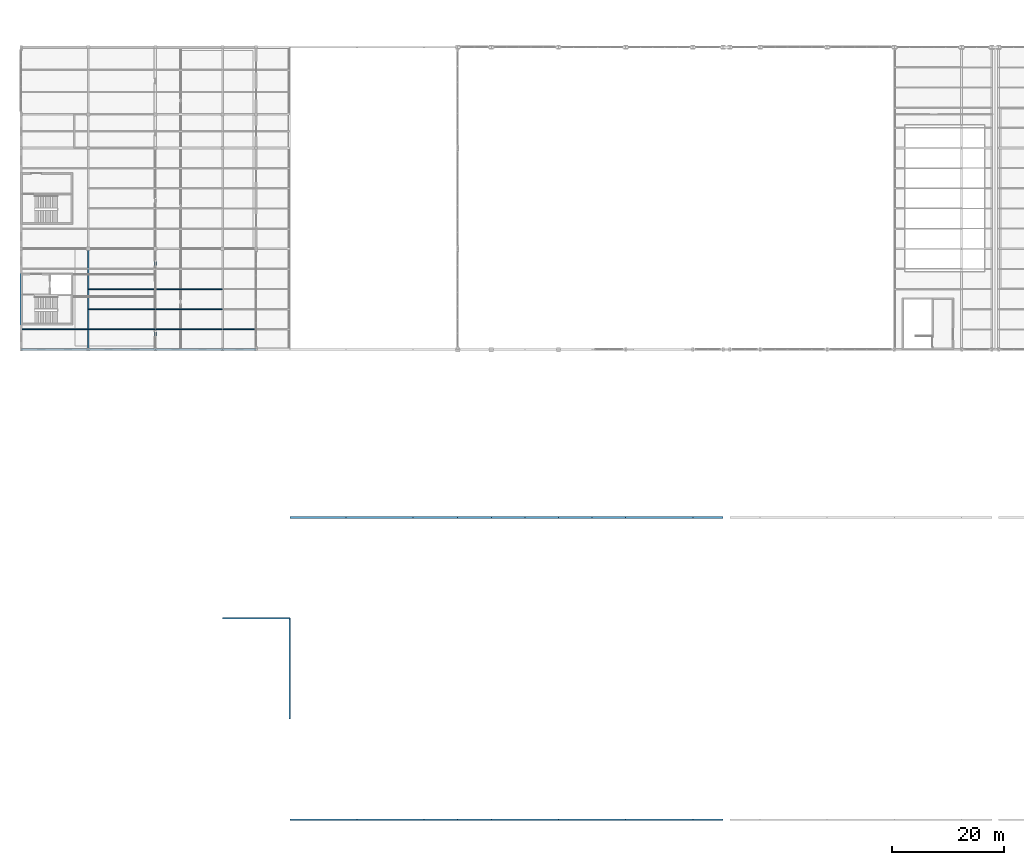
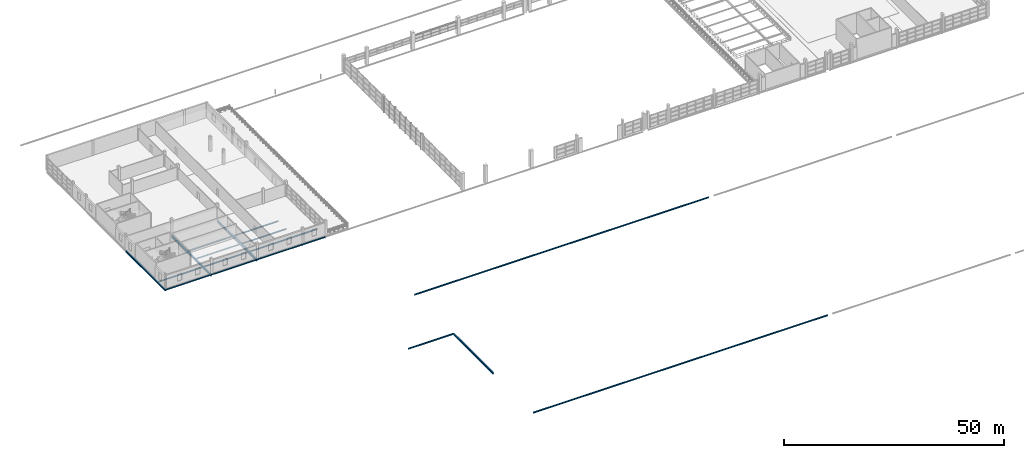
# One storey, part 8 of 86: 35 beams.
"""IFC4 building model written with IfcOpenShell, lengths in metres."""

from ifc_helpers import new_model, si_unit, direction, frame, origin, origin_2d, place, context, subcontext, project, spatial, i_section, extrude, material, material_profile, profile_set, type_object, element, save


model = new_model("IFC4")

# Units and contexts
model_context = context("Model", 3, precision=1e-05, world=origin(), true_north=direction((0.0, 1.0)))
body_context = subcontext(model_context, "Body", "Model", "MODEL_VIEW")
ifc_project = project(units=[si_unit("LENGTHUNIT", "METRE"), si_unit("AREAUNIT", "SQUARE_METRE"), si_unit("VOLUMEUNIT", "CUBIC_METRE"), si_unit("PLANEANGLEUNIT", "RADIAN"), si_unit("MASSUNIT", "GRAM", prefix="KILO")], contexts=[model_context])

# Site, building, storey
site_placement = place(None, origin())
site = spatial("IfcSite", under=ifc_project, at=site_placement, CompositionType="ELEMENT")
building_placement = place(site_placement, origin())
building = spatial("IfcBuilding", under=site, at=building_placement, Name="Zilviju Railside Exhibition Hall", CompositionType="ELEMENT")
storey_placement = place(building_placement, frame((0.0, 0.0, 12.60009765625)))
storey = spatial("IfcBuildingStorey", under=building, at=storey_placement, Name="L04", CompositionType="ELEMENT", Elevation=12.60009765625)

# Beams
ifc_material = material(Name="Steel S355J2", Category="steel")
ifc_material_profile_1 = material_profile(ifc_material, i_section(OverallWidth=0.300048828125, OverallDepth=0.2900390625, WebThickness=0.008544921875, FlangeThickness=0.013916015625, at=origin_2d()), Name="HEA 300")
ifc_profile_set_1 = profile_set([ifc_material_profile_1], Name="Steel S355J2")
beam_type_1 = type_object("IfcBeamType", Name="BM-HEA300", PredefinedType="SPANDREL", material=ifc_profile_set_1)
for number, where, z_axis, x_axis, name in (
    (1, (48.0, 0.0, -0.485107421875), (1.0, 0.0, 0.0), (0.0, 1.0, 0.0), "Primary Girder L04 Y=0.0 (48.0..60.0)"),
    (2, (60.0, 0.0, -0.485107421875), (1.0, 0.0, 0.0), (0.0, 1.0, 0.0), "Primary Girder L04 Y=0.0 (60.0..72.0)"),
):
    element("IfcBeam", number, at=place(storey_placement, frame(where, z_axis=z_axis, x_axis=x_axis)), inside=storey, type_object=beam_type_1, Name=name, PredefinedType="SPANDREL", context=body_context, shape_type="SweptSolid", body=[
        extrude(i_section(OverallWidth=0.300048828125, OverallDepth=0.2900390625, WebThickness=0.008544921875, FlangeThickness=0.013916015625, at=origin_2d()), origin(), (0.0, 0.0, 1.0), 12.0),
    ])
for number, where, z_axis, x_axis, name in (
    (3, (72.0, 0.0, -0.485107421875), (1.0, 0.0, 0.0), (0.0, 1.0, 0.0), "Primary Girder L04 Y=0.0 (72.0..78.0)"),
    (4, (78.0, 0.0, -0.485107421875), (1.0, 0.0, 0.0), (0.0, 1.0, 0.0), "Primary Girder L04 Y=0.0 (78.0..84.0)"),
):
    element("IfcBeam", number, at=place(storey_placement, frame(where, z_axis=z_axis, x_axis=x_axis)), inside=storey, type_object=beam_type_1, Name=name, PredefinedType="SPANDREL", context=body_context, shape_type="SweptSolid", body=[
        extrude(i_section(OverallWidth=0.300048828125, OverallDepth=0.2900390625, WebThickness=0.008544921875, FlangeThickness=0.013916015625, at=origin_2d()), origin(), (0.0, 0.0, 1.0), 6.0),
    ])
for number, where, z_axis, x_axis, name in (
    (5, (84.0, 0.0, -0.485107421875), (1.0, 0.0, 0.0), (0.0, 1.0, 0.0), "Primary Girder L04 Y=0.0 (84.0..96.0)"),
    (6, (96.0, 0.0, -0.485107421875), (1.0, 0.0, 0.0), (0.0, 1.0, 0.0), "Primary Girder L04 Y=0.0 (96.0..108.0)"),
    (7, (108.0, 0.0, -0.485107421875), (1.0, 0.0, 0.0), (0.0, 1.0, 0.0), "Primary Girder L04 Y=0.0 (108.0..120.0)"),
):
    element("IfcBeam", number, at=place(storey_placement, frame(where, z_axis=z_axis, x_axis=x_axis)), inside=storey, type_object=beam_type_1, Name=name, PredefinedType="SPANDREL", context=body_context, shape_type="SweptSolid", body=[
        extrude(i_section(OverallWidth=0.300048828125, OverallDepth=0.2900390625, WebThickness=0.008544921875, FlangeThickness=0.013916015625, at=origin_2d()), origin(), (0.0, 0.0, 1.0), 12.0),
    ])
beam_1_placement = place(storey_placement, frame((120.0, 0.0, -0.485107421875), z_axis=(1.0, 0.0, 0.0), x_axis=(0.0, 1.0, 0.0)))
element("IfcBeam", 8, at=beam_1_placement, inside=storey, type_object=beam_type_1, Name="Primary Girder L04 Y=0.0 (120.0..125.4)", PredefinedType="SPANDREL", context=body_context, shape_type="SweptSolid", body=[
    extrude(i_section(OverallWidth=0.300048828125, OverallDepth=0.2900390625, WebThickness=0.008544921875, FlangeThickness=0.013916015625, at=origin_2d()), origin(), (0.0, 0.0, 1.0), 5.39990234375),
])
beam_2_placement = place(storey_placement, frame((36.0, 36.0, -0.364990234375), z_axis=(1.0, 0.0, 0.0), x_axis=(0.0, 1.0, 0.0)))
element("IfcBeam", 9, at=beam_2_placement, inside=storey, type_object=beam_type_1, Name="Primary Girder L04 Y=36.0 (36.0..48.0)", PredefinedType="SPANDREL", context=body_context, shape_type="SweptSolid", body=[
    extrude(i_section(OverallWidth=0.300048828125, OverallDepth=0.2900390625, WebThickness=0.008544921875, FlangeThickness=0.013916015625, at=origin_2d()), origin(), (0.0, 0.0, 1.0), 12.0),
])
beam_3_placement = place(storey_placement, frame((48.0, 54.0, -0.485107421875), z_axis=(1.0, 0.0, 0.0), x_axis=(0.0, 1.0, 0.0)))
element("IfcBeam", 10, at=beam_3_placement, inside=storey, type_object=beam_type_1, Name="Primary Girder L04 Y=54.0 (48.0..58.0)", PredefinedType="SPANDREL", context=body_context, shape_type="SweptSolid", body=[
    extrude(i_section(OverallWidth=0.300048828125, OverallDepth=0.2900390625, WebThickness=0.008544921875, FlangeThickness=0.013916015625, at=origin_2d()), origin(), (0.0, 0.0, 1.0), 10.0),
])
beam_4_placement = place(storey_placement, frame((58.0, 54.0, -0.485107421875), z_axis=(1.0, 0.0, 0.0), x_axis=(0.0, 1.0, 0.0)))
element("IfcBeam", 11, at=beam_4_placement, inside=storey, type_object=beam_type_1, Name="Primary Girder L04 Y=54.0 (58.0..70.0)", PredefinedType="SPANDREL", context=body_context, shape_type="SweptSolid", body=[
    extrude(i_section(OverallWidth=0.300048828125, OverallDepth=0.2900390625, WebThickness=0.008544921875, FlangeThickness=0.013916015625, at=origin_2d()), origin(), (0.0, 0.0, 1.0), 12.0),
])
beam_5_placement = place(storey_placement, frame((70.0, 54.0, -0.485107421875), z_axis=(1.0, 0.0, 0.0), x_axis=(0.0, 1.0, 0.0)))
element("IfcBeam", 12, at=beam_5_placement, inside=storey, type_object=beam_type_1, Name="Primary Girder L04 Y=54.0 (70.0..78.0)", PredefinedType="SPANDREL", context=body_context, shape_type="SweptSolid", body=[
    extrude(i_section(OverallWidth=0.300048828125, OverallDepth=0.2900390625, WebThickness=0.008544921875, FlangeThickness=0.013916015625, at=origin_2d()), origin(), (0.0, 0.0, 1.0), 8.0),
])
for number, where, z_axis, x_axis, name in (
    (13, (78.0, 54.0, -0.485107421875), (1.0, 0.0, 0.0), (0.0, 1.0, 0.0), "Primary Girder L04 Y=54.0 (78.0..84.0)"),
    (14, (84.0, 54.0, -0.485107421875), (1.0, 0.0, 0.0), (0.0, 1.0, 0.0), "Primary Girder L04 Y=54.0 (84.0..90.0)"),
    (15, (90.0, 54.0, -0.485107421875), (1.0, 0.0, 0.0), (0.0, 1.0, 0.0), "Primary Girder L04 Y=54.0 (90.0..96.0)"),
    (16, (96.0, 54.0, -0.485107421875), (1.0, 0.0, 0.0), (0.0, 1.0, 0.0), "Primary Girder L04 Y=54.0 (96.0..102.0)"),
    (17, (102.0, 54.0, -0.485107421875), (1.0, 0.0, 0.0), (0.0, 1.0, 0.0), "Primary Girder L04 Y=54.0 (102.0..108.0)"),
):
    element("IfcBeam", number, at=place(storey_placement, frame(where, z_axis=z_axis, x_axis=x_axis)), inside=storey, type_object=beam_type_1, Name=name, PredefinedType="SPANDREL", context=body_context, shape_type="SweptSolid", body=[
        extrude(i_section(OverallWidth=0.300048828125, OverallDepth=0.2900390625, WebThickness=0.008544921875, FlangeThickness=0.013916015625, at=origin_2d()), origin(), (0.0, 0.0, 1.0), 6.0),
    ])
beam_6_placement = place(storey_placement, frame((108.0, 54.0, -0.485107421875), z_axis=(1.0, 0.0, 0.0), x_axis=(0.0, 1.0, 0.0)))
element("IfcBeam", 18, at=beam_6_placement, inside=storey, type_object=beam_type_1, Name="Primary Girder L04 Y=54.0 (108.0..120.0)", PredefinedType="SPANDREL", context=body_context, shape_type="SweptSolid", body=[
    extrude(i_section(OverallWidth=0.300048828125, OverallDepth=0.2900390625, WebThickness=0.008544921875, FlangeThickness=0.013916015625, at=origin_2d()), origin(), (0.0, 0.0, 1.0), 12.0),
])
beam_7_placement = place(storey_placement, frame((120.0, 54.0, -0.485107421875), z_axis=(1.0, 0.0, 0.0), x_axis=(0.0, 1.0, 0.0)))
element("IfcBeam", 19, at=beam_7_placement, inside=storey, type_object=beam_type_1, Name="Primary Girder L04 Y=54.0 (120.0..125.4)", PredefinedType="SPANDREL", context=body_context, shape_type="SweptSolid", body=[
    extrude(i_section(OverallWidth=0.300048828125, OverallDepth=0.2900390625, WebThickness=0.008544921875, FlangeThickness=0.013916015625, at=origin_2d()), origin(), (0.0, 0.0, 1.0), 5.39990234375),
])
for number, where, z_axis, x_axis, name in (
    (20, (0.0, 84.0, -0.485107421875), (1.0, 0.0, 0.0), (0.0, 1.0, 0.0), "Primary Girder L04 Y=84.0 (0.0..12.0)"),
    (21, (12.0, 84.0, -0.485107421875), (1.0, 0.0, 0.0), (0.0, 1.0, 0.0), "Primary Girder L04 Y=84.0 (12.0..24.0)"),
    (22, (24.0, 84.0, -0.485107421875), (1.0, 0.0, 0.0), (0.0, 1.0, 0.0), "Primary Girder L04 Y=84.0 (24.0..36.0)"),
):
    element("IfcBeam", number, at=place(storey_placement, frame(where, z_axis=z_axis, x_axis=x_axis)), inside=storey, type_object=beam_type_1, Name=name, PredefinedType="SPANDREL", context=body_context, shape_type="SweptSolid", body=[
        extrude(i_section(OverallWidth=0.300048828125, OverallDepth=0.2900390625, WebThickness=0.008544921875, FlangeThickness=0.013916015625, at=origin_2d()), origin(), (0.0, 0.0, 1.0), 12.0),
    ])
beam_8_placement = place(storey_placement, frame((36.0, 84.0, -0.485107421875), z_axis=(1.0, 0.0, 0.0), x_axis=(0.0, 1.0, 0.0)))
element("IfcBeam", 23, at=beam_8_placement, inside=storey, type_object=beam_type_1, Name="Primary Girder L04 Y=84.0 (36.0..42.0)", PredefinedType="SPANDREL", context=body_context, shape_type="SweptSolid", body=[
    extrude(i_section(OverallWidth=0.300048828125, OverallDepth=0.2900390625, WebThickness=0.008544921875, FlangeThickness=0.013916015625, at=origin_2d()), origin(), (0.0, 0.0, 1.0), 6.0),
])
ifc_material_profile_2 = material_profile(ifc_material, i_section(OverallWidth=0.300048828125, OverallDepth=0.5, WebThickness=0.014404296875, FlangeThickness=0.028076171875, at=origin_2d()), Name="HEB 500")
ifc_profile_set_2 = profile_set([ifc_material_profile_2], Name="Steel S355J2")
beam_type_2 = type_object("IfcBeamType", Name="BM-HEB500", PredefinedType="BEAM", material=ifc_profile_set_2)
for number, where, z_axis, x_axis, name in (
    (24, (0.0, 84.0, -0.590087890625), (0.0, 1.0, 0.0), (-1.0, 0.0, 0.0), "Transverse Girder L04 X=0.0 (84.0..102.0)"),
    (25, (48.0, 18.0, -0.47021484375), (0.0, 1.0, 0.0), (-1.0, 0.0, 0.0), "Transverse Girder L04 X=48.0 (18.0..36.0)"),
):
    element("IfcBeam", number, at=place(storey_placement, frame(where, z_axis=z_axis, x_axis=x_axis)), inside=storey, type_object=beam_type_2, Name=name, PredefinedType="BEAM", context=body_context, shape_type="SweptSolid", body=[
        extrude(i_section(OverallWidth=0.300048828125, OverallDepth=0.5, WebThickness=0.014404296875, FlangeThickness=0.028076171875, at=origin_2d()), origin(), (0.0, 0.0, 1.0), 18.0),
    ])
ifc_material_profile_3 = material_profile(ifc_material, i_section(OverallWidth=0.300048828125, OverallDepth=0.60009765625, WebThickness=0.015380859375, FlangeThickness=0.030029296875, at=origin_2d()), Name="HEB 600")
ifc_profile_set_3 = profile_set([ifc_material_profile_3], Name="Steel S355J2")
beam_type_3 = type_object("IfcBeamType", Name="BM-HEB600", PredefinedType="BEAM", material=ifc_profile_set_3)
for number, where, z_axis, x_axis, name in (
    (26, (12.0, 84.0, -0.64013671875), (0.0, 1.0, 0.0), (-1.0, 0.0, 0.0), "Transverse Girder L04 X=12.0 (84.0..102.0)"),
    (27, (24.0, 84.0, -0.64013671875), (0.0, 1.0, 0.0), (-1.0, 0.0, 0.0), "Transverse Girder L04 X=24.0 (84.0..102.0)"),
):
    element("IfcBeam", number, at=place(storey_placement, frame(where, z_axis=z_axis, x_axis=x_axis)), inside=storey, type_object=beam_type_3, Name=name, PredefinedType="BEAM", context=body_context, shape_type="SweptSolid", body=[
        extrude(i_section(OverallWidth=0.300048828125, OverallDepth=0.60009765625, WebThickness=0.015380859375, FlangeThickness=0.030029296875, at=origin_2d()), origin(), (0.0, 0.0, 1.0), 18.0),
    ])
ifc_material_profile_4 = material_profile(ifc_material, i_section(OverallWidth=0.14990234375, OverallDepth=0.300048828125, WebThickness=0.007080078125, FlangeThickness=0.0107421875, at=origin_2d()), Name="IPE 300")
ifc_profile_set_4 = profile_set([ifc_material_profile_4], Name="Steel S355J2")
beam_type_4 = type_object("IfcBeamType", Name="BM-IPE300", PredefinedType="JOIST", material=ifc_profile_set_4)
beam_9_placement = place(storey_placement, frame((36.080078125, 87.60009765625, -0.489990234375), z_axis=(1.0, 0.0, 0.0), x_axis=(0.0, 1.0, 0.0)))
element("IfcBeam", 28, at=beam_9_placement, inside=storey, type_object=beam_type_4, Name="Composite Floor Joist L04 Y=87.60 (36.0..42.0)", PredefinedType="JOIST", context=body_context, shape_type="SweptSolid", body=[
    extrude(i_section(OverallWidth=0.14990234375, OverallDepth=0.300048828125, WebThickness=0.007080078125, FlangeThickness=0.0107421875, at=origin_2d()), origin(), (0.0, 0.0, 1.0), 5.83984375),
])
ifc_material_profile_5 = material_profile(ifc_material, i_section(OverallWidth=0.169921875, OverallDepth=0.360107421875, WebThickness=0.008056640625, FlangeThickness=0.0126953125, at=origin_2d()), Name="IPE 360")
ifc_profile_set_5 = profile_set([ifc_material_profile_5], Name="Steel S355J2")
beam_type_5 = type_object("IfcBeamType", Name="BM-IPE360", PredefinedType="JOIST", material=ifc_profile_set_5)
for number, where, z_axis, x_axis, name in (
    (29, (0.080078125, 87.60009765625, -0.52001953125), (1.0, 0.0, 0.0), (0.0, 1.0, 0.0), "Composite Floor Joist L04 Y=87.60 (0.0..12.0)"),
    (30, (12.080078125, 87.60009765625, -0.52001953125), (1.0, 0.0, 0.0), (0.0, 1.0, 0.0), "Composite Floor Joist L04 Y=87.60 (12.0..24.0)"),
    (31, (12.080078125, 91.199951171875, -0.52001953125), (1.0, 0.0, 0.0), (0.0, 1.0, 0.0), "Composite Floor Joist L04 Y=91.20 (12.0..24.0)"),
    (32, (12.080078125, 94.800048828125, -0.52001953125), (1.0, 0.0, 0.0), (0.0, 1.0, 0.0), "Composite Floor Joist L04 Y=94.80 (12.0..24.0)"),
    (33, (24.080078125, 87.60009765625, -0.52001953125), (1.0, 0.0, 0.0), (0.0, 1.0, 0.0), "Composite Floor Joist L04 Y=87.60 (24.0..36.0)"),
    (34, (24.080078125, 91.199951171875, -0.52001953125), (1.0, 0.0, 0.0), (0.0, 1.0, 0.0), "Composite Floor Joist L04 Y=91.20 (24.0..36.0)"),
    (35, (24.080078125, 94.800048828125, -0.52001953125), (1.0, 0.0, 0.0), (0.0, 1.0, 0.0), "Composite Floor Joist L04 Y=94.80 (24.0..36.0)"),
):
    element("IfcBeam", number, at=place(storey_placement, frame(where, z_axis=z_axis, x_axis=x_axis)), inside=storey, type_object=beam_type_5, Name=name, PredefinedType="JOIST", context=body_context, shape_type="SweptSolid", body=[
        extrude(i_section(OverallWidth=0.169921875, OverallDepth=0.360107421875, WebThickness=0.008056640625, FlangeThickness=0.0126953125, at=origin_2d()), origin(), (0.0, 0.0, 1.0), 11.83984375),
    ])

save(model, "model.ifc")
